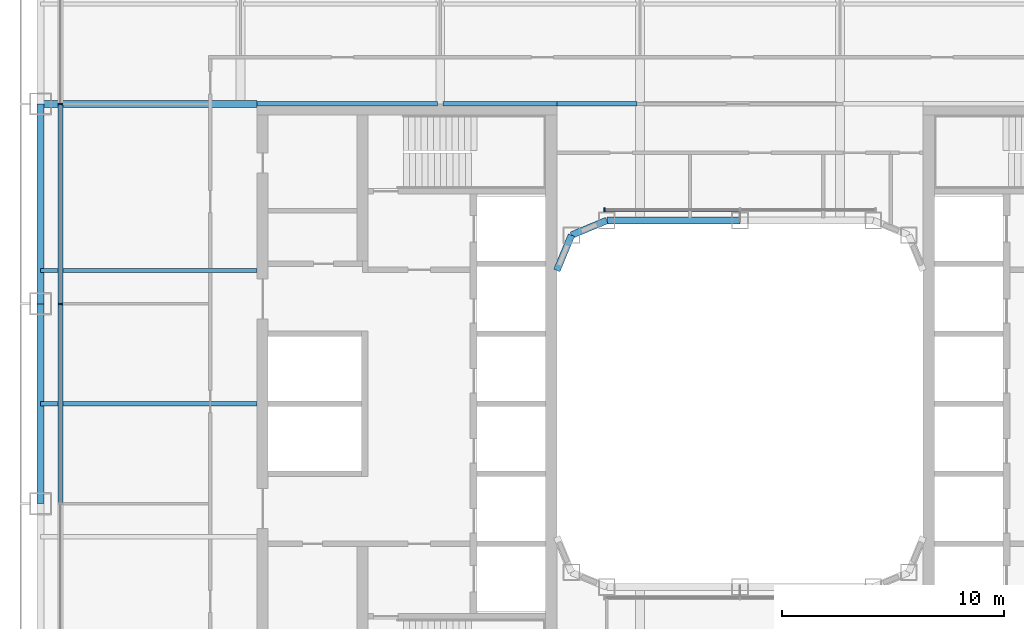
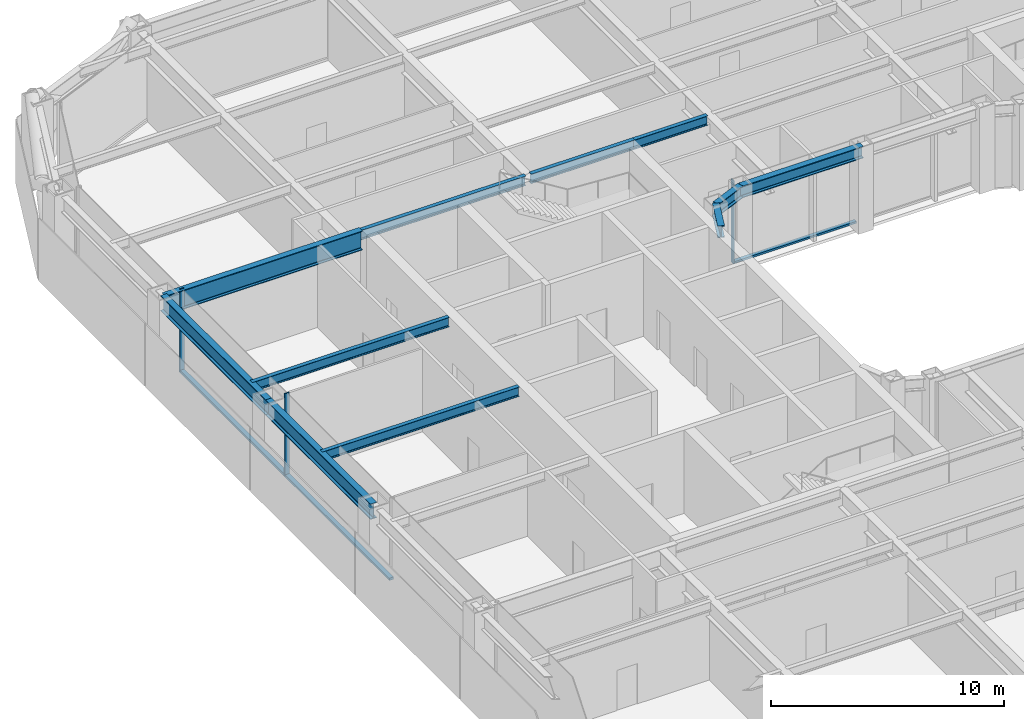
# One storey, part 6 of 30: 11 beams, 6 members, 2 elements without a shape of their own.
"""IFC4 building model written with IfcOpenShell, lengths in metres."""

from ifc_helpers import new_model, si_unit, direction, frame, origin, origin_2d, place, context, subcontext, project, spatial, rectangle, i_section, extrude, material, layer, layer_set, material_profile, profile_set, type_object, element, aggregate, save


model = new_model("IFC4")

# Units and contexts
model_context = context("Model", 3, precision=1e-05, world=origin(), true_north=direction((0.0, 1.0)))
body_context = subcontext(model_context, "Body", "Model", "MODEL_VIEW")
ifc_project = project(units=[si_unit("LENGTHUNIT", "METRE"), si_unit("AREAUNIT", "SQUARE_METRE"), si_unit("VOLUMEUNIT", "CUBIC_METRE"), si_unit("PLANEANGLEUNIT", "RADIAN"), si_unit("MASSUNIT", "GRAM", prefix="KILO")], contexts=[model_context])

# Site, building, storey
site_placement = place(None, origin())
site = spatial("IfcSite", under=ifc_project, at=site_placement, CompositionType="ELEMENT")
building_placement = place(site_placement, origin())
building = spatial("IfcBuilding", under=site, at=building_placement, Name="Siwar Civic Tower", CompositionType="ELEMENT")
storey_placement = place(building_placement, frame((0.0, 0.0, 62.699951171875)))
storey = spatial("IfcBuildingStorey", under=building, at=storey_placement, Name="L13", CompositionType="ELEMENT", Elevation=62.699951171875)

# Curtain wall, members
ifc_material_1 = material(Name="Aluminium and glass", Category="aluminium")
ifc_layer_1 = layer(ifc_material_1, 0.219970703125)
ifc_layer_set_1 = layer_set([ifc_layer_1], Name="Aluminium and glass")
curtain_wall_type_1 = type_object("IfcCurtainWallType", Name="ENV-CW-A", PredefinedType="NOTDEFINED", material=ifc_layer_set_1)
curtain_wall_1_placement = place(storey_placement, origin())
curtain_wall_1 = element("IfcCurtainWall", 1, at=curtain_wall_1_placement, inside=storey, type_object=curtain_wall_type_1, Name="Curtain wall A W", PredefinedType="NOTDEFINED")
ifc_material_2 = material(Name="Aluminium 6063-T6", Category="aluminium")
ifc_material_profile_1 = material_profile(ifc_material_2, rectangle(XDim=0.219970703125, YDim=0.070068359375, at=origin_2d()), Name="AL 220x70")
ifc_profile_set_1 = profile_set([ifc_material_profile_1], Name="Aluminium 6063-T6")
member_type_1 = type_object("IfcMemberType", Name="ENV-MULLION-A", PredefinedType="MULLION", material=ifc_profile_set_1)
member_1_placement = place(storey_placement, frame((-30.60009765625, 13.5, 0.0), z_axis=(0.0, 0.0, 1.0), x_axis=(1.0, 0.0, 0.0)))
member_1 = element("IfcMember", 2, at=member_1_placement, type_object=member_type_1, Name="Mullion A W 2", PredefinedType="MULLION", context=body_context, shape_type="SweptSolid", body=[
    extrude(rectangle(XDim=0.219970703125, YDim=0.070068359375, at=origin_2d()), origin(), (0.0, 0.0, 1.0), 4.35009765625),
])
member_2_placement = place(storey_placement, frame((-30.60009765625, 4.5, 0.0), z_axis=(0.0, 0.0, 1.0), x_axis=(1.0, 0.0, 0.0)))
member_2 = element("IfcMember", 3, at=member_2_placement, type_object=member_type_1, Name="Mullion A W 3", PredefinedType="MULLION", context=body_context, shape_type="SweptSolid", body=[
    extrude(rectangle(XDim=0.219970703125, YDim=0.070068359375, at=origin_2d()), origin(), (0.0, 0.0, 1.0), 4.35009765625),
])

# Curtain wall, member
ifc_material_3 = material(Name="Aluminium and glass", Category="aluminium")
ifc_layer_2 = layer(ifc_material_3, 0.179931640625)
ifc_layer_set_2 = layer_set([ifc_layer_2], Name="Aluminium and glass")
curtain_wall_type_2 = type_object("IfcCurtainWallType", Name="ENV-CW-W", PredefinedType="NOTDEFINED", material=ifc_layer_set_2)
curtain_wall_2_placement = place(storey_placement, origin())
curtain_wall_2 = element("IfcCurtainWall", 4, at=curtain_wall_2_placement, inside=storey, type_object=curtain_wall_type_2, Name="Curtain wall W WN", PredefinedType="NOTDEFINED")
ifc_material_4 = material(Name="Aluminium 6063-T6", Category="aluminium")
ifc_material_profile_2 = material_profile(ifc_material_4, rectangle(XDim=0.179931640625, YDim=0.06005859375, at=origin_2d()), Name="AL 180x60")
ifc_profile_set_2 = profile_set([ifc_material_profile_2], Name="Aluminium 6063-T6")
member_type_2 = type_object("IfcMemberType", Name="ENV-MULLION-W", PredefinedType="MULLION", material=ifc_profile_set_2)
member_3_placement = place(storey_placement, frame((-6.096435546875, 8.735107421875, 0.0), z_axis=(0.0, 0.0, 1.0), x_axis=(0.0, -1.0, 0.0)))
member_3 = element("IfcMember", 5, at=member_3_placement, type_object=member_type_2, Name="Mullion W WN 3", PredefinedType="MULLION", context=body_context, shape_type="SweptSolid", body=[
    extrude(rectangle(XDim=0.179931640625, YDim=0.06005859375, at=origin_2d()), origin(), (0.0, 0.0, 1.0), 4.35009765625),
])

# Member
ifc_material_5 = material(Name="Aluminium 6063-T6", Category="aluminium")
ifc_material_profile_3 = material_profile(ifc_material_5, rectangle(XDim=0.219970703125, YDim=0.1201171875, at=origin_2d()), Name="AL 220x120")
ifc_profile_set_3 = profile_set([ifc_material_profile_3], Name="Aluminium 6063-T6")
member_type_3 = type_object("IfcMemberType", Name="ENV-TRANSOM-A", PredefinedType="USERDEFINED", material=ifc_profile_set_3)
member_4_placement = place(storey_placement, frame((-30.60009765625, 13.465087890625, 0.06005859375), z_axis=(0.0, -1.0, 0.0), x_axis=(1.0, 0.0, 0.0)))
member_4 = element("IfcMember", 6, at=member_4_placement, type_object=member_type_3, Name="Transom A W 2", ObjectType="TRANSOM", PredefinedType="USERDEFINED", context=body_context, shape_type="SweptSolid", body=[
    extrude(rectangle(XDim=0.219970703125, YDim=0.1201171875, at=origin_2d()), origin(), (0.0, 0.0, 1.0), 8.93017578125),
])

member_5_placement = place(storey_placement, frame((-30.60009765625, 4.465087890625, 0.06005859375), z_axis=(0.0, -1.0, 0.0), x_axis=(1.0, 0.0, 0.0)))
member_5 = element("IfcMember", 7, at=member_5_placement, type_object=member_type_3, Name="Transom A W 3", ObjectType="TRANSOM", PredefinedType="USERDEFINED", context=body_context, shape_type="SweptSolid", body=[
    extrude(rectangle(XDim=0.219970703125, YDim=0.1201171875, at=origin_2d()), origin(), (0.0, 0.0, 1.0), 8.93017578125),
])

aggregate(curtain_wall_1, [member_1, member_2, member_4, member_5])

ifc_material_6 = material(Name="Aluminium 6063-T6", Category="aluminium")
ifc_material_profile_4 = material_profile(ifc_material_6, rectangle(XDim=0.179931640625, YDim=0.10009765625, at=origin_2d()), Name="AL 180x100")
ifc_profile_set_4 = profile_set([ifc_material_profile_4], Name="Aluminium 6063-T6")
member_type_4 = type_object("IfcMemberType", Name="ENV-TRANSOM-W", PredefinedType="USERDEFINED", material=ifc_profile_set_4)
member_6_placement = place(storey_placement, frame((-0.030029296875, 8.735107421875, 0.050048828125), z_axis=(-1.0, 0.0, 0.0), x_axis=(0.0, -1.0, 0.0)))
member_6 = element("IfcMember", 8, at=member_6_placement, type_object=member_type_4, Name="Transom W WN 2", ObjectType="TRANSOM", PredefinedType="USERDEFINED", context=body_context, shape_type="SweptSolid", body=[
    extrude(rectangle(XDim=0.179931640625, YDim=0.10009765625, at=origin_2d()), origin(), (0.0, 0.0, 1.0), 6.036376953125),
])

aggregate(curtain_wall_2, [member_3, member_6])

# Beams
ifc_material_7 = material(Name="Steel S355", Category="steel")
ifc_material_profile_5 = material_profile(ifc_material_7, i_section(OverallWidth=0.199951171875, OverallDepth=0.5, WebThickness=0.01025390625, FlangeThickness=0.01611328125, FilletRadius=0.02099609375, at=origin_2d()), Name="IPE500")
ifc_profile_set_5 = profile_set([ifc_material_profile_5], Name="Steel S355")
beam_type_1 = type_object("IfcBeamType", Name="STR-FB-IPE500", PredefinedType="JOIST", material=ifc_profile_set_5)
for number, where, z_axis, x_axis, name in (
    (9, (-31.5, 0.0, 4.10009765625), (1.0, 0.0, 0.0), (0.0, 1.0, 0.0), "L13/bm/F033"),
    (10, (-31.5, 6.0, 4.10009765625), (1.0, 0.0, 0.0), (0.0, 1.0, 0.0), "L13/bm/F035"),
):
    element("IfcBeam", number, at=place(storey_placement, frame(where, z_axis=z_axis, x_axis=x_axis)), inside=storey, type_object=beam_type_1, Name=name, PredefinedType="JOIST", context=body_context, shape_type="SweptSolid", body=[
        extrude(i_section(OverallWidth=0.199951171875, OverallDepth=0.5, WebThickness=0.01025390625, FlangeThickness=0.01611328125, FilletRadius=0.02099609375, at=origin_2d()), origin(), (0.0, 0.0, 1.0), 9.75),
    ])
beam_1_placement = place(storey_placement, frame((-21.75, 13.5, 4.10009765625), z_axis=(1.0, 0.0, 0.0), x_axis=(0.0, 1.0, 0.0)))
element("IfcBeam", 11, at=beam_1_placement, inside=storey, type_object=beam_type_1, Name="L13/bm/F038", PredefinedType="JOIST", context=body_context, shape_type="SweptSolid", body=[
    extrude(i_section(OverallWidth=0.199951171875, OverallDepth=0.5, WebThickness=0.01025390625, FlangeThickness=0.01611328125, FilletRadius=0.02099609375, at=origin_2d()), origin(), (0.0, 0.0, 1.0), 8.1201171875),
])
beam_2_placement = place(storey_placement, frame((-13.3701171875, 13.5, 4.10009765625), z_axis=(1.0, 0.0, 0.0), x_axis=(0.0, 1.0, 0.0)))
element("IfcBeam", 12, at=beam_2_placement, inside=storey, type_object=beam_type_1, Name="L13/bm/F039", PredefinedType="JOIST", context=body_context, shape_type="SweptSolid", body=[
    extrude(i_section(OverallWidth=0.199951171875, OverallDepth=0.5, WebThickness=0.01025390625, FlangeThickness=0.01611328125, FilletRadius=0.02099609375, at=origin_2d()), origin(), (0.0, 0.0, 1.0), 5.1201171875),
])
beam_3_placement = place(storey_placement, frame((-8.25, 13.5, 4.10009765625), z_axis=(1.0, 0.0, 0.0), x_axis=(0.0, 1.0, 0.0)))
element("IfcBeam", 13, at=beam_3_placement, inside=storey, type_object=beam_type_1, Name="L13/bm/F040", PredefinedType="JOIST", context=body_context, shape_type="SweptSolid", body=[
    extrude(i_section(OverallWidth=0.199951171875, OverallDepth=0.5, WebThickness=0.01025390625, FlangeThickness=0.01611328125, FilletRadius=0.02099609375, at=origin_2d()), origin(), (0.0, 0.0, 1.0), 3.6201171875),
])
ifc_material_8 = material(Name="Steel S355", Category="steel")
ifc_material_profile_6 = material_profile(ifc_material_8, i_section(OverallWidth=0.300048828125, OverallDepth=1.0, WebThickness=0.01904296875, FlangeThickness=0.035888671875, FilletRadius=0.030029296875, at=origin_2d()), Name="HEB1000")
ifc_profile_set_6 = profile_set([ifc_material_profile_6], Name="Steel S355")
beam_type_2 = type_object("IfcBeamType", Name="STR-PG-HEB1000", PredefinedType="BEAM", material=ifc_profile_set_6)
beam_4_placement = place(storey_placement, frame((-31.5, 13.5, 3.85009765625), z_axis=(1.0, 0.0, 0.0), x_axis=(0.0, 1.0, 0.0)))
element("IfcBeam", 14, at=beam_4_placement, inside=storey, type_object=beam_type_2, Name="L13/bm/F037", PredefinedType="BEAM", context=body_context, shape_type="SweptSolid", body=[
    extrude(i_section(OverallWidth=0.300048828125, OverallDepth=1.0, WebThickness=0.01904296875, FlangeThickness=0.035888671875, FilletRadius=0.030029296875, at=origin_2d()), origin(), (0.0, 0.0, 1.0), 9.75),
])
ifc_material_9 = material(Name="Steel S355", Category="steel")
ifc_material_profile_7 = material_profile(ifc_material_9, i_section(OverallWidth=0.304931640625, OverallDepth=0.6201171875, WebThickness=0.02099609375, FlangeThickness=0.0400390625, FilletRadius=0.027099609375, at=origin_2d()), Name="HEM600")
ifc_profile_set_7 = profile_set([ifc_material_profile_7], Name="Steel S355")
beam_type_3 = type_object("IfcBeamType", Name="STR-RB-HEM600", PredefinedType="BEAM", material=ifc_profile_set_7)
beam_5_placement = place(storey_placement, frame((-7.591064453125, 7.591064453125, 4.0400390625), z_axis=(0.923901072997, 0.382631424892, 0.0), x_axis=(-0.382631424892, 0.923901072997, 0.0)))
element("IfcBeam", 15, at=beam_5_placement, inside=storey, type_object=beam_type_3, Name="L13/bm/RN0", PredefinedType="BEAM", context=body_context, shape_type="SweptSolid", body=[
    extrude(i_section(OverallWidth=0.304931640625, OverallDepth=0.6201171875, WebThickness=0.02099609375, FlangeThickness=0.0400390625, FilletRadius=0.027099609375, at=origin_2d()), origin(), (0.0, 0.0, 1.0), 1.72216796875),
])
beam_6_placement = place(storey_placement, frame((-6.0, 8.25, 4.0400390625), z_axis=(1.0, 0.0, 0.0), x_axis=(0.0, 1.0, 0.0)))
element("IfcBeam", 16, at=beam_6_placement, inside=storey, type_object=beam_type_3, Name="L13/bm/RN1", PredefinedType="BEAM", context=body_context, shape_type="SweptSolid", body=[
    extrude(i_section(OverallWidth=0.304931640625, OverallDepth=0.6201171875, WebThickness=0.02099609375, FlangeThickness=0.0400390625, FilletRadius=0.027099609375, at=origin_2d()), origin(), (0.0, 0.0, 1.0), 6.0),
])
beam_7_placement = place(storey_placement, frame((-7.591064453125, 7.591064453125, 4.0400390625), z_axis=(-0.382631424892, -0.923901072997, 0.0), x_axis=(0.923901072997, -0.382631424892, 0.0)))
element("IfcBeam", 17, at=beam_7_placement, inside=storey, type_object=beam_type_3, Name="L13/bm/RNEW", PredefinedType="BEAM", context=body_context, shape_type="SweptSolid", body=[
    extrude(i_section(OverallWidth=0.304931640625, OverallDepth=0.6201171875, WebThickness=0.02099609375, FlangeThickness=0.0400390625, FilletRadius=0.027099609375, at=origin_2d()), origin(), (0.0, 0.0, 1.0), 1.72216796875),
])
ifc_material_10 = material(Name="Steel S355", Category="steel")
ifc_material_profile_8 = material_profile(ifc_material_10, i_section(OverallWidth=0.302978515625, OverallDepth=0.81396484375, WebThickness=0.02099609375, FlangeThickness=0.0400390625, FilletRadius=0.030029296875, at=origin_2d()), Name="HEM800")
ifc_profile_set_8 = profile_set([ifc_material_profile_8], Name="Steel S355")
beam_type_4 = type_object("IfcBeamType", Name="STR-SB-HEM800", PredefinedType="BEAM", material=ifc_profile_set_8)
for number, where, z_axis, x_axis, name in (
    (18, (-31.5, 13.5, 3.943115234375), (0.0, -1.0, 0.0), (1.0, 0.0, 0.0), "L13/bm/SW-1"),
    (19, (-31.5, 4.5, 3.943115234375), (0.0, -1.0, 0.0), (1.0, 0.0, 0.0), "L13/bm/SW-2"),
):
    element("IfcBeam", number, at=place(storey_placement, frame(where, z_axis=z_axis, x_axis=x_axis)), inside=storey, type_object=beam_type_4, Name=name, PredefinedType="BEAM", context=body_context, shape_type="SweptSolid", body=[
        extrude(i_section(OverallWidth=0.302978515625, OverallDepth=0.81396484375, WebThickness=0.02099609375, FlangeThickness=0.0400390625, FilletRadius=0.030029296875, at=origin_2d()), origin(), (0.0, 0.0, 1.0), 9.0),
    ])

save(model, "model.ifc")
